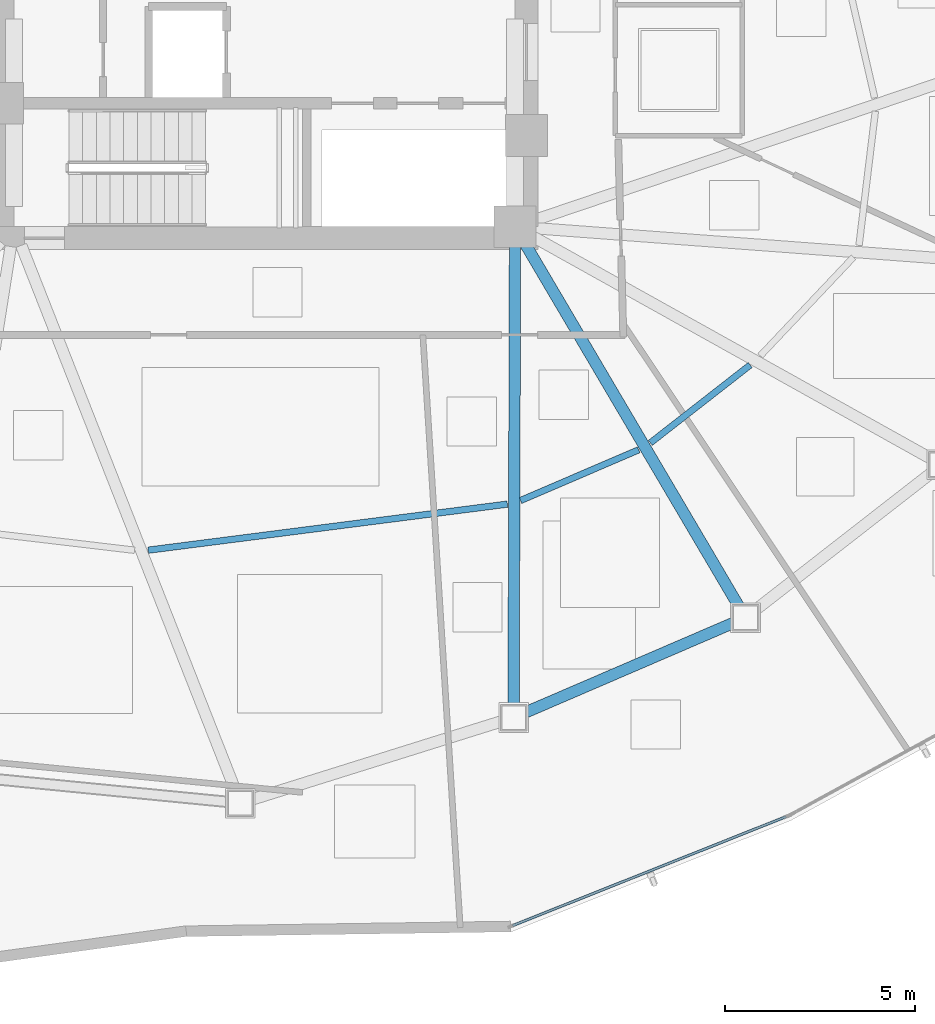
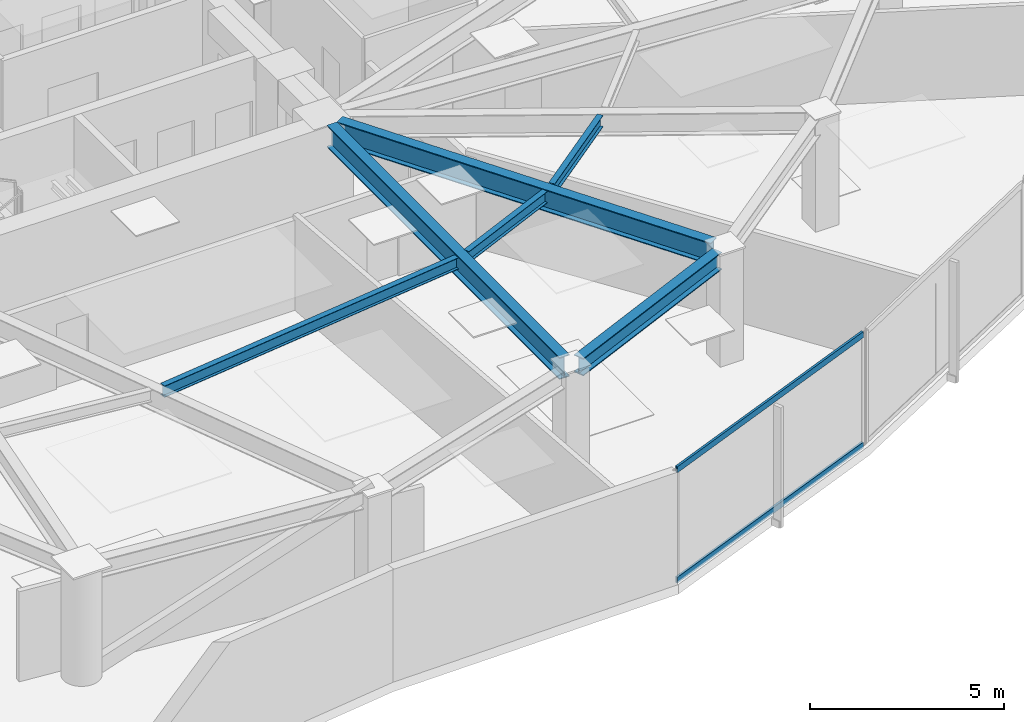
# One storey, part 3 of 16: 6 beams, 2 members, 1 element without a shape of its own.
"""IFC4 building model written with IfcOpenShell, lengths in metres."""

import ifcopenshell
import ifcopenshell.guid

model = None  # the IFC model being written
_history = None  # IfcOwnerHistory: only IFC2X3 demands one
_inside = {}  # id of a spatial element -> (the spatial element, [elements in it])
_under = {}  # id of a project, library or spatial element -> (it, [spatial elements below it])
_declared = {}  # id of a project -> (the project, [libraries it declares])
_typed = {}  # id of a type object -> (the type object, [elements of that type])
_made_of = {}  # id of a material, layer set ... -> (it, [elements and type objects made of it])


def new_model(schema):
    """Start an empty IFC model of exactly this schema.

    Asked for "IFC4X3", IfcOpenShell would pick the latest addendum, in which some entities
    have other attributes; the version numbers below select the first issue.
    IFC2X3 requires an IfcOwnerHistory on every rooted entity: one is made here for all.
    """
    global model, _history
    if schema == "IFC4X3":
        model = ifcopenshell.file(schema_version=(4, 3, 0, 0))
    else:
        model = ifcopenshell.file(schema=schema)
    _inside.clear()
    _under.clear()
    _declared.clear()
    _typed.clear()
    _made_of.clear()
    _history = None
    if model.schema == "IFC2X3":
        org = make("IfcOrganization", Name="unknown")
        user = make(
            "IfcPersonAndOrganization",
            ThePerson=make("IfcPerson", FamilyName="unknown"),
            TheOrganization=org,
        )
        app = make(
            "IfcApplication",
            ApplicationDeveloper=org,
            Version="unknown",
            ApplicationFullName="unknown",
            ApplicationIdentifier="unknown",
        )
        _history = make(
            "IfcOwnerHistory",
            OwningUser=user,
            OwningApplication=app,
            ChangeAction="ADDED",
            CreationDate=0,
        )
    return model


def make(cls, **values):
    """One entity of the class cls with the attributes given. An attribute that is None is left unset."""
    return model.create_entity(
        cls, **{name: value for name, value in values.items() if value is not None}
    )


def rooted(cls, **values):
    """An entity with a GlobalId (a new one), such as an element, a storey or a relation."""
    return make(cls, GlobalId=ifcopenshell.guid.new(), OwnerHistory=_history, **values)


def si_unit(unit_type, name, prefix=None):
    """IfcSIUnit, for example si_unit("LENGTHUNIT", "METRE", prefix="MILLI")."""
    return make("IfcSIUnit", UnitType=unit_type, Prefix=prefix, Name=name)


def assignment(units):
    """IfcUnitAssignment: the units of a project."""
    return None if units is None else make("IfcUnitAssignment", Units=units)


def point(xyz):
    """IfcCartesianPoint."""
    return None if xyz is None else make("IfcCartesianPoint", Coordinates=xyz)


def direction(xyz):
    """IfcDirection."""
    return None if xyz is None else make("IfcDirection", DirectionRatios=xyz)


def frame(location, z_axis=None, x_axis=None):
    """IfcAxis2Placement3D, a coordinate frame: its origin and axes. An axis left out is left unset."""
    return make(
        "IfcAxis2Placement3D",
        Location=point(location),
        Axis=direction(z_axis),
        RefDirection=direction(x_axis),
    )


def frame_2d(location, x_axis=None):
    """IfcAxis2Placement2D, a coordinate frame in the plane: its origin and x axis."""
    return make(
        "IfcAxis2Placement2D", Location=point(location), RefDirection=direction(x_axis)
    )


def origin():
    """The frame at (0, 0, 0) with its axes left unset."""
    return frame((0.0, 0.0, 0.0))


def origin_2d():
    """The frame at (0, 0) in the plane with its x axis left unset."""
    return frame_2d((0.0, 0.0))


def place(relative_to, where):
    """IfcLocalPlacement: puts the frame where relative to a parent placement (None: the world)."""
    return make(
        "IfcLocalPlacement", PlacementRelTo=relative_to, RelativePlacement=where
    )


def context(
    kind, dimensions, precision=None, world=None, true_north=None, identifier=None
):
    """IfcGeometricRepresentationContext, for example the 3D "Model" context."""
    return make(
        "IfcGeometricRepresentationContext",
        ContextIdentifier=identifier,
        ContextType=kind,
        CoordinateSpaceDimension=dimensions,
        Precision=precision,
        WorldCoordinateSystem=world,
        TrueNorth=true_north,
    )


def subcontext(parent, identifier, kind, view, scale=None):
    """IfcGeometricRepresentationSubContext, for example "Body" below "Model"."""
    return make(
        "IfcGeometricRepresentationSubContext",
        ContextIdentifier=identifier,
        ContextType=kind,
        ParentContext=parent,
        TargetScale=scale,
        TargetView=view,
    )


def project(units=None, contexts=None):
    """IfcProject with its units and contexts."""
    return rooted(
        "IfcProject",
        Name="project",
        RepresentationContexts=contexts,
        UnitsInContext=assignment(units),
    )


def spatial(cls, under=None, at=None, **own):
    """A site, building, storey or space (cls), placed at a placement, below another one or the project."""
    s = rooted(cls, ObjectPlacement=at, **own)
    if under is not None:
        _under.setdefault(under.id(), (under, []))[1].append(s)
    return s


def profile(cls, at=None, kind="AREA", **sizes):
    """A parametric profile (cls). Its sizes go by their IFC names, for example OverallWidth=200.0."""
    return make(cls, ProfileType=kind, Position=at, **sizes)


def hollow_rectangle(**sizes):
    """IfcRectangleHollowProfileDef."""
    return profile("IfcRectangleHollowProfileDef", **sizes)


def i_section(**sizes):
    """IfcIShapeProfileDef."""
    return profile("IfcIShapeProfileDef", **sizes)


def extrude(swept, where, along, depth):
    """IfcExtrudedAreaSolid: the profile swept, set in the frame where, extruded along a direction by depth."""
    return make(
        "IfcExtrudedAreaSolid",
        SweptArea=swept,
        Position=where,
        ExtrudedDirection=direction(along),
        Depth=depth,
    )


def shape(context_of_items, identifier, shape_type, items):
    """IfcShapeRepresentation: the items that make up one representation, for example the "Body"."""
    return make(
        "IfcShapeRepresentation",
        ContextOfItems=context_of_items,
        RepresentationIdentifier=identifier,
        RepresentationType=shape_type,
        Items=items,
    )


def source(mapping_origin, context_of_items, identifier, shape_type, items):
    """IfcRepresentationMap: a shape defined once, which mapped items show again and again."""
    return make(
        "IfcRepresentationMap",
        MappingOrigin=mapping_origin,
        MappedRepresentation=shape(context_of_items, identifier, shape_type, items),
    )


def transform(
    local_origin,
    x_axis=None,
    y_axis=None,
    z_axis=None,
    scale=None,
    scale2=None,
    scale3=None,
    uniform=True,
):
    """IfcCartesianTransformationOperator3D, or its non-uniform kind. x_axis, y_axis, z_axis: its Axis1, 2, 3."""
    if uniform:
        return make(
            "IfcCartesianTransformationOperator3D",
            Axis1=direction(x_axis),
            Axis2=direction(y_axis),
            LocalOrigin=point(local_origin),
            Scale=scale,
            Axis3=direction(z_axis),
        )
    return make(
        "IfcCartesianTransformationOperator3DnonUniform",
        Axis1=direction(x_axis),
        Axis2=direction(y_axis),
        LocalOrigin=point(local_origin),
        Scale=scale,
        Axis3=direction(z_axis),
        Scale2=scale2,
        Scale3=scale3,
    )


def mapped(mapping_source, mapping_target):
    """IfcMappedItem: shows the shape of a source again, moved by a transform."""
    return make(
        "IfcMappedItem", MappingSource=mapping_source, MappingTarget=mapping_target
    )


def material(Name=None, Category=None):
    """IfcMaterial."""
    return make("IfcMaterial", Name=Name, Category=Category)


def layer(
    of_material, thickness, ventilated=None, Name=None, Category=None, Priority=None
):
    """IfcMaterialLayer: one layer of a wall or slab, of a material (None: an air gap)."""
    return make(
        "IfcMaterialLayer",
        Material=of_material,
        LayerThickness=thickness,
        IsVentilated=ventilated,
        Name=Name,
        Category=Category,
        Priority=Priority,
    )


def layer_set(layers, Name=None):
    """IfcMaterialLayerSet."""
    return make("IfcMaterialLayerSet", MaterialLayers=layers, LayerSetName=Name)


def material_profile(
    of_material, cross_section, Name=None, Category=None, Priority=None
):
    """IfcMaterialProfile: a cross section and its material."""
    return make(
        "IfcMaterialProfile",
        Name=Name,
        Material=of_material,
        Profile=cross_section,
        Priority=Priority,
        Category=Category,
    )


def profile_set(profiles, Name=None, composite=None):
    """IfcMaterialProfileSet."""
    return make(
        "IfcMaterialProfileSet",
        Name=Name,
        MaterialProfiles=profiles,
        CompositeProfile=composite,
    )


def made_of(thing, what):
    """Note that an element or type object is made of a material, layer set ...; save() writes the relation."""
    if what is not None:
        _made_of.setdefault(what.id(), (what, []))[1].append(thing)
    return thing


def type_object(cls, material=None, **own):
    """A type object (cls), such as IfcWallType, which elements share."""
    return made_of(rooted(cls, **own), material)


def type_shapes(of_type, sources):
    """Give a type object the sources (RepresentationMaps) that its elements show as mapped items."""
    of_type.RepresentationMaps = sources


def element(
    cls,
    number,
    at=None,
    inside=None,
    cuts=None,
    type_object=None,
    material=None,
    context=None,
    identifier="Body",
    shape_type=None,
    held_by="IfcProductDefinitionShape",
    body=None,
    shapes=None,
    **own,
):
    """One element of the class cls, such as IfcWall. Its Tag is "e" and its number.

    at: its placement. inside: the storey or other place that contains it. cuts: it is an
    opening in that element (IfcRelVoidsElement). A single representation is given by context,
    identifier, shape_type and body (its items); several are given by shapes. held_by: the class
    of the entity that holds the representations. save() writes the other relations.
    """
    e = rooted(cls, Tag="e%d" % number, ObjectPlacement=at, **own)
    if body is not None:
        shapes = [shape(context, identifier, shape_type, body)]
    if shapes is not None:
        e.Representation = make(held_by, Representations=shapes)
    if inside is not None:
        _inside.setdefault(inside.id(), (inside, []))[1].append(e)
    if cuts is not None:
        rooted(
            "IfcRelVoidsElement", RelatingBuildingElement=cuts, RelatedOpeningElement=e
        )
    if type_object is not None:
        _typed.setdefault(type_object.id(), (type_object, []))[1].append(e)
    return made_of(e, material)


def aggregate(whole, parts):
    """IfcRelAggregates: a whole, such as a stair, and the parts it consists of."""
    return rooted("IfcRelAggregates", RelatingObject=whole, RelatedObjects=parts)


def save(model, path):
    """Write the relations noted so far, then the file.

    IfcRelAggregates (storeys below a building ...), IfcRelContainedInSpatialStructure (elements
    in a storey), IfcRelDefinesByType, IfcRelAssociatesMaterial and IfcRelDeclares: one each for
    every whole, place, type object, material and project.
    """
    for whole, parts in _under.values():
        aggregate(whole, parts)
    for where, things in _inside.values():
        rooted(
            "IfcRelContainedInSpatialStructure",
            RelatedElements=things,
            RelatingStructure=where,
        )
    for kind, things in _typed.values():
        rooted("IfcRelDefinesByType", RelatedObjects=things, RelatingType=kind)
    for what, things in _made_of.values():
        rooted("IfcRelAssociatesMaterial", RelatedObjects=things, RelatingMaterial=what)
    for by, libraries in _declared.values():
        rooted("IfcRelDeclares", RelatingContext=by, RelatedDefinitions=libraries)
    model.write(path)


model = new_model("IFC4")

# Units and contexts
model_context = context("Model", 3, precision=1e-05, world=origin(), true_north=direction((0.0, 1.0)))
body_context = subcontext(model_context, "Body", "Model", "MODEL_VIEW")
ifc_project = project(units=[si_unit("LENGTHUNIT", "METRE"), si_unit("AREAUNIT", "SQUARE_METRE"), si_unit("VOLUMEUNIT", "CUBIC_METRE"), si_unit("PLANEANGLEUNIT", "RADIAN"), si_unit("MASSUNIT", "GRAM", prefix="KILO")], contexts=[model_context])

# Site, building, storey
site_placement = place(None, origin())
site = spatial("IfcSite", under=ifc_project, at=site_placement, CompositionType="ELEMENT")
building_placement = place(site_placement, origin())
building = spatial("IfcBuilding", under=site, at=building_placement, Name="Tavelor Broadcast Tower", CompositionType="ELEMENT")
storey_placement = place(building_placement, frame((0.0, 0.0, 138.699951171875)))
storey = spatial("IfcBuildingStorey", under=building, at=storey_placement, Name="L32", CompositionType="ELEMENT", Elevation=138.699951171875)

# Beams
ifc_material_1 = material(Name="Steel S355", Category="steel")
ifc_material_profile_1 = material_profile(ifc_material_1, i_section(OverallWidth=0.169921875, OverallDepth=0.360107421875, WebThickness=0.008056640625, FlangeThickness=0.0126953125, at=origin_2d()), Name="IPE 360")
ifc_profile_set_1 = profile_set([ifc_material_profile_1], Name="Steel S355")
beam_type_1 = type_object("IfcBeamType", Name="Composite Floor Joist T3 IPE 360", PredefinedType="JOIST", material=ifc_profile_set_1)
beam_1_placement = place(storey_placement, frame((46.93701171875, 30.280517578125, 3.3701171875), z_axis=(0.991879926303, 0.12717787464, 0.0), x_axis=(-0.12717787464, 0.991879926303, 0.0)))
element("IfcBeam", 1, at=beam_1_placement, inside=storey, type_object=beam_type_1, Name="L32 Secondary Composite Floor Joist 08", PredefinedType="JOIST", context=body_context, shape_type="SweptSolid", body=[
    extrude(i_section(OverallWidth=0.169921875, OverallDepth=0.360107421875, WebThickness=0.008056640625, FlangeThickness=0.0126953125, at=origin_2d()), origin(), (0.0, 0.0, 1.0), 9.538818359375),
])
beam_2_placement = place(storey_placement, frame((56.744384765625, 31.588134765625, 3.3701171875), z_axis=(0.918816463589, 0.394685072225, 0.0), x_axis=(-0.394685072225, 0.918816463589, 0.0)))
element("IfcBeam", 2, at=beam_2_placement, inside=storey, type_object=beam_type_1, Name="L32 Secondary Composite Floor Joist 09", PredefinedType="JOIST", context=body_context, shape_type="SweptSolid", body=[
    extrude(i_section(OverallWidth=0.169921875, OverallDepth=0.360107421875, WebThickness=0.008056640625, FlangeThickness=0.0126953125, at=origin_2d()), origin(), (0.0, 0.0, 1.0), 3.385498046875),
])
beam_3_placement = place(storey_placement, frame((60.163818359375, 33.107177734375, 3.3701171875), z_axis=(0.788471752191, 0.615070968261, 0.0), x_axis=(-0.615070968261, 0.788471752191, 0.0)))
element("IfcBeam", 3, at=beam_3_placement, inside=storey, type_object=beam_type_1, Name="L32 Secondary Composite Floor Joist 10", PredefinedType="JOIST", context=body_context, shape_type="SweptSolid", body=[
    extrude(i_section(OverallWidth=0.169921875, OverallDepth=0.360107421875, WebThickness=0.008056640625, FlangeThickness=0.0126953125, at=origin_2d()), origin(), (0.0, 0.0, 1.0), 3.33251953125),
])
ifc_material_profile_2 = material_profile(ifc_material_1, i_section(OverallWidth=0.300048828125, OverallDepth=0.550048828125, WebThickness=0.014892578125, FlangeThickness=0.029052734375, at=origin_2d()), Name="HEB 550")
ifc_profile_set_2 = profile_set([ifc_material_profile_2], Name="Steel S355")
beam_type_2 = type_object("IfcBeamType", Name="Perimeter Spandrel Beam T3 HEB 550", PredefinedType="SPANDREL", material=ifc_profile_set_2)
beam_4_placement = place(storey_placement, frame((56.86962890625, 26.005615234375, 3.275146484375), z_axis=(0.918448679011, 0.395540167396, 0.0), x_axis=(-0.395540167396, 0.918448679011, 0.0)))
element("IfcBeam", 4, at=beam_4_placement, inside=storey, type_object=beam_type_2, Name="L32 Framed-Tube Ring Spandrel 09", PredefinedType="SPANDREL", context=body_context, shape_type="SweptSolid", body=[
    extrude(i_section(OverallWidth=0.300048828125, OverallDepth=0.550048828125, WebThickness=0.014892578125, FlangeThickness=0.029052734375, at=origin_2d()), origin(), (0.0, 0.0, 1.0), 5.978515625),
])
ifc_material_profile_3 = material_profile(ifc_material_1, i_section(OverallWidth=0.300048828125, OverallDepth=0.68994140625, WebThickness=0.014404296875, FlangeThickness=0.027099609375, at=origin_2d()), Name="HEA 700")
ifc_profile_set_3 = profile_set([ifc_material_profile_3], Name="Steel S355")
beam_type_3 = type_object("IfcBeamType", Name="Radial Floor Girder T3 HEA 700", PredefinedType="BEAM", material=ifc_profile_set_3)
beam_5_placement = place(storey_placement, frame((56.598388671875, 38.27197265625, 3.205078125), z_axis=(-0.003015509149, -0.999995453342, 0.0), x_axis=(0.999995453342, -0.003015509149, 0.0)))
element("IfcBeam", 5, at=beam_5_placement, inside=storey, type_object=beam_type_3, Name="L32 Radial Primary Floor Girder 09", PredefinedType="BEAM", context=body_context, shape_type="SweptSolid", body=[
    extrude(i_section(OverallWidth=0.300048828125, OverallDepth=0.68994140625, WebThickness=0.014404296875, FlangeThickness=0.027099609375, at=origin_2d()), origin(), (0.0, 0.0, 1.0), 12.063232421875),
])
beam_6_placement = place(storey_placement, frame((56.8681640625, 38.34521484375, 3.205078125), z_axis=(0.507774310592, -0.861490133143, 0.0), x_axis=(0.861490133143, 0.507774310592, 0.0)))
element("IfcBeam", 6, at=beam_6_placement, inside=storey, type_object=beam_type_3, Name="L32 Radial Primary Floor Girder 10", PredefinedType="BEAM", context=body_context, shape_type="SweptSolid", body=[
    extrude(i_section(OverallWidth=0.300048828125, OverallDepth=0.68994140625, WebThickness=0.014404296875, FlangeThickness=0.027099609375, at=origin_2d()), origin(), (0.0, 0.0, 1.0), 11.08837890625),
])

# Curtain wall, members
ifc_material_2 = material(Name="Architectural Anodized Aluminium", Category="aluminium")
ifc_layer = layer(ifc_material_2, 0.18994140625)
ifc_layer_set = layer_set([ifc_layer], Name="Architectural Anodized Aluminium")
curtain_wall_type = type_object("IfcCurtainWallType", Name="Tower Mid-Zone Acoustic Curtain Wall CW03", PredefinedType="NOTDEFINED", material=ifc_layer_set)
curtain_wall_placement = place(storey_placement, origin())
curtain_wall = element("IfcCurtainWall", 7, at=curtain_wall_placement, inside=storey, type_object=curtain_wall_type, Name="L32 Curtain Wall CW03 Run 329", PredefinedType="NOTDEFINED")
ifc_material_profile_4 = material_profile(ifc_material_2, hollow_rectangle(XDim=0.068115234375, YDim=0.18994140625, WallThickness=0.02197265625, at=origin_2d()), Name="RHS 68x190x22")
ifc_profile_set_4 = profile_set([ifc_material_profile_4], Name="Architectural Anodized Aluminium")
member_type = type_object("IfcMemberType", Name="CW03 Extruded Aluminium Transom 68x190", PredefinedType="USERDEFINED", material=ifc_profile_set_4)
shared_shape = source(origin(), body_context, "Body", "SweptSolid", [
    extrude(hollow_rectangle(XDim=0.068115234375, YDim=0.18994140625, WallThickness=0.02197265625, at=origin_2d()), origin(), (0.0, 0.0, 1.0), 7.750732421875),
])
type_shapes(member_type, [shared_shape])
member_1_placement = place(storey_placement, frame((56.537109375, 20.393310546875, 0.033935546875), z_axis=(0.928962496035, 0.370173852346, 0.0), x_axis=(-0.370173852346, 0.928962496035, 0.0)))
member_1 = element("IfcMember", 8, at=member_1_placement, type_object=member_type, Name="CW03 transom 1.1", ObjectType="TRANSOM", PredefinedType="USERDEFINED", context=body_context, shape_type="MappedRepresentation", body=[
    mapped(shared_shape, transform((0.0, 0.0, 0.0), scale=1.0)),
])
member_2_placement = place(storey_placement, frame((56.537109375, 20.393310546875, 3.51611328125), z_axis=(0.928962496035, 0.370173852346, 0.0), x_axis=(-0.370173852346, 0.928962496035, 0.0)))
member_2 = element("IfcMember", 9, at=member_2_placement, type_object=member_type, Name="CW03 transom 1.2", ObjectType="TRANSOM", PredefinedType="USERDEFINED", context=body_context, shape_type="MappedRepresentation", body=[
    mapped(shared_shape, transform((0.0, 0.0, 0.0), scale=1.0)),
])
aggregate(curtain_wall, [member_1, member_2])

save(model, "model.ifc")
